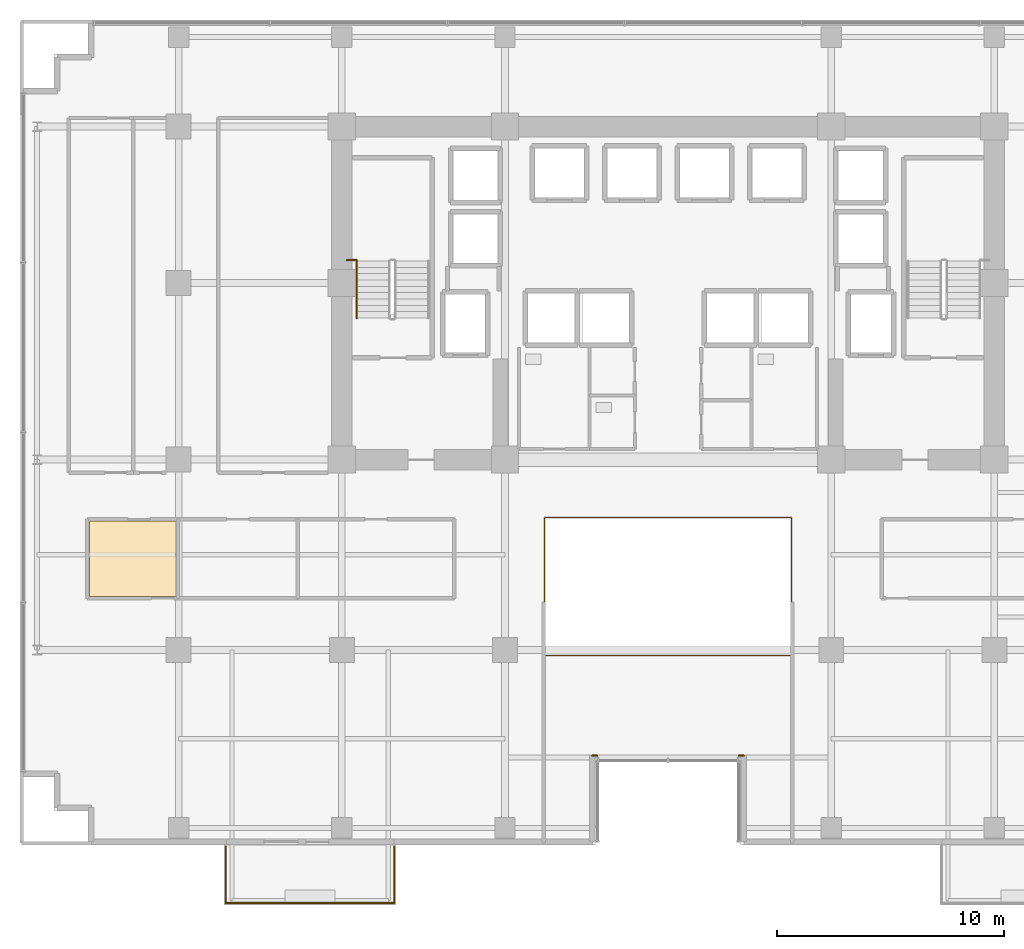
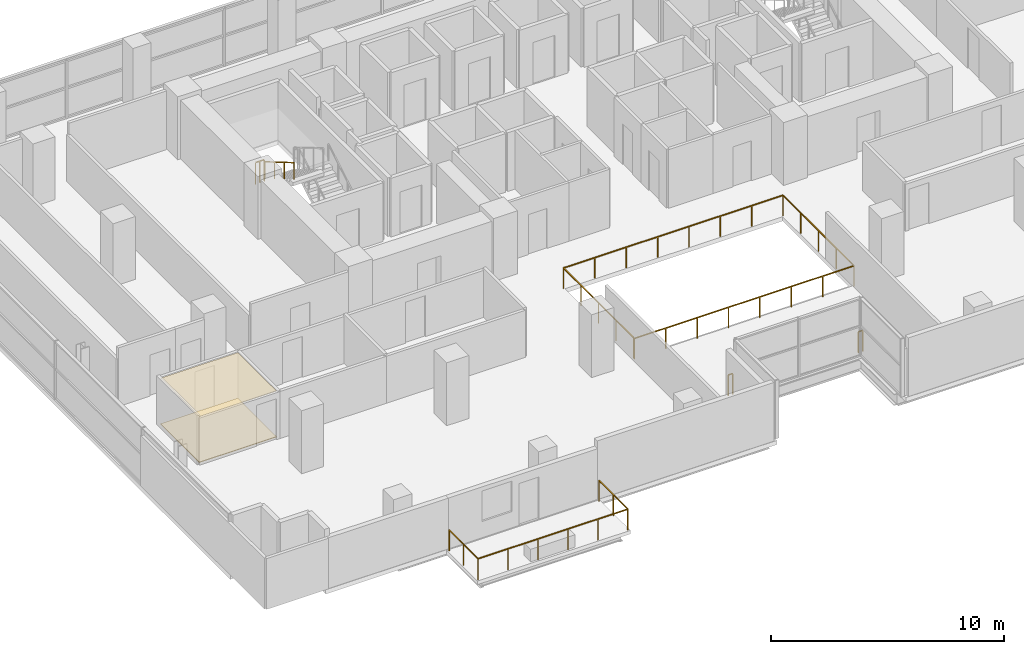
# One storey, part 23 of 26: 6 railings, 2 coverings.
"""IFC4 building model written with IfcOpenShell, lengths in metres."""

from ifc_helpers import new_model, si_unit, direction, frame, origin, origin_2d, place, context, subcontext, project, spatial, polyline, rectangle, outline, extrude, material, layer, layer_set, type_object, element, save


model = new_model("IFC4")

# Units and contexts
model_context = context("Model", 3, precision=1e-05, world=origin(), true_north=direction((0.0, 1.0)))
body_context = subcontext(model_context, "Body", "Model", "MODEL_VIEW")
ifc_project = project(units=[si_unit("LENGTHUNIT", "METRE"), si_unit("AREAUNIT", "SQUARE_METRE"), si_unit("VOLUMEUNIT", "CUBIC_METRE"), si_unit("PLANEANGLEUNIT", "RADIAN"), si_unit("MASSUNIT", "GRAM", prefix="KILO")], contexts=[model_context])

# Site, building, storey
site_placement = place(None, origin())
site = spatial("IfcSite", under=ifc_project, at=site_placement, CompositionType="ELEMENT")
building_placement = place(site_placement, origin())
building = spatial("IfcBuilding", under=site, at=building_placement, Name="Zarnakvel Exchange Tower", CompositionType="ELEMENT")
storey_placement = place(building_placement, frame((0.0, 0.0, 63.699951171875)))
storey = spatial("IfcBuildingStorey", under=building, at=storey_placement, Name="L17", CompositionType="ELEMENT", Elevation=63.699951171875)

# Coverings
ifc_material_1 = material(Name="Perforated Bronze Acoustic Metal Ceiling", Category="aluminium")
ifc_layer_1 = layer(ifc_material_1, 0.02001953125)
ifc_layer_set_1 = layer_set([ifc_layer_1], Name="Perforated Bronze Acoustic Metal Ceiling")
covering_type_1 = type_object("IfcCoveringType", Name="CLG-01", PredefinedType="CEILING", material=ifc_layer_set_1)
covering_1_placement = place(storey_placement, frame((0.0, 0.0, 2.405029296875)))
element("IfcCovering", 1, at=covering_1_placement, inside=storey, type_object=covering_type_1, Name="L17 Suspended Acoustic Ceiling (Asset Management Office)", PredefinedType="CEILING", context=body_context, shape_type="SweptSolid", body=[
    extrude(outline(polyline([(-25.54833984375, -3.909912109375), (-21.710205078125, -3.909912109375), (-21.710205078125, -7.239990234375), (-25.54833984375, -7.239990234375), (-25.54833984375, -3.909912109375)])), origin(), (0.0, 0.0, 1.0), 0.02001953125),
])
ifc_material_2 = material(Name="Heavy-Duty Raised Access Floor Panel", Category="steel")
ifc_layer_2 = layer(ifc_material_2, 0.034912109375)
ifc_layer_set_2 = layer_set([ifc_layer_2], Name="Heavy-Duty Raised Access Floor Panel")
covering_type_2 = type_object("IfcCoveringType", Name="FLR-02", PredefinedType="FLOORING", material=ifc_layer_set_2)
covering_2_placement = place(storey_placement, origin())
element("IfcCovering", 2, at=covering_2_placement, inside=storey, type_object=covering_type_2, Name="L17 Floor Finish (Asset Management Office)", PredefinedType="FLOORING", context=body_context, shape_type="SweptSolid", body=[
    extrude(outline(polyline([(-25.54833984375, -3.909912109375), (-21.710205078125, -3.909912109375), (-21.710205078125, -7.239990234375), (-25.54833984375, -7.239990234375), (-25.54833984375, -3.909912109375)])), origin(), (0.0, 0.0, 1.0), 0.03515625),
])

# Railings
ifc_material_3 = material(Name="Architectural Bronze Anodised Aluminium", Category="aluminium")
railing_type_1 = type_object("IfcRailingType", Name="GR-02", PredefinedType="GUARDRAIL", material=ifc_material_3)
railing_1_placement = place(storey_placement, frame((-19.52001953125, -18.280029296875, -0.034912109375)))
element("IfcRailing", 3, at=railing_1_placement, inside=storey, type_object=railing_type_1, Name="L17 Balcony Guardrail BAL-L17-SW", PredefinedType="GUARDRAIL", context=body_context, shape_type="SweptSolid", body=[
    extrude(rectangle(XDim=0.048095703125, YDim=0.048095703125, at=origin_2d()), frame((0.0, 0.0, 1.09619140625), z_axis=(0.0, -1.0, 0.0), x_axis=(1.0, 0.0, 0.0)), (0.0, 0.0, 1.0), 2.489990234375),
    extrude(rectangle(XDim=0.048095703125, YDim=0.048095703125, at=origin_2d()), frame((0.0, -2.489990234375, 1.09619140625), z_axis=(1.0, 0.0, 0.0), x_axis=(0.0, 1.0, 0.0)), (0.0, 0.0, 1.0), 7.43994140625),
    extrude(rectangle(XDim=0.048095703125, YDim=0.048095703125, at=origin_2d()), frame((7.43994140625, -2.489990234375, 1.09619140625), z_axis=(0.0, 1.0, 0.0), x_axis=(-1.0, 0.0, 0.0)), (0.0, 0.0, 1.0), 2.489990234375),
    extrude(rectangle(XDim=0.0419921875, YDim=0.0419921875, at=origin_2d()), origin(), (0.0, 0.0, 1.0), 1.072021484375),
    extrude(rectangle(XDim=0.0419921875, YDim=0.0419921875, at=origin_2d()), frame((0.0, -1.2451171875, 0.0)), (0.0, 0.0, 1.0), 1.072021484375),
    extrude(rectangle(XDim=0.0419921875, YDim=0.0419921875, at=origin_2d()), frame((0.0, -2.489990234375, 0.0)), (0.0, 0.0, 1.0), 1.072021484375),
    extrude(rectangle(XDim=0.0419921875, YDim=0.0419921875, at=origin_2d()), frame((1.488037109375, -2.489990234375, 0.0)), (0.0, 0.0, 1.0), 1.072021484375),
    extrude(rectangle(XDim=0.0419921875, YDim=0.0419921875, at=origin_2d()), frame((2.97607421875, -2.489990234375, 0.0)), (0.0, 0.0, 1.0), 1.072021484375),
    extrude(rectangle(XDim=0.0419921875, YDim=0.0419921875, at=origin_2d()), frame((4.4638671875, -2.489990234375, 0.0)), (0.0, 0.0, 1.0), 1.072021484375),
    extrude(rectangle(XDim=0.0419921875, YDim=0.0419921875, at=origin_2d()), frame((5.951904296875, -2.489990234375, 0.0)), (0.0, 0.0, 1.0), 1.072021484375),
    extrude(rectangle(XDim=0.0419921875, YDim=0.0419921875, at=origin_2d()), frame((7.43994140625, -2.489990234375, 0.0)), (0.0, 0.0, 1.0), 1.072021484375),
    extrude(rectangle(XDim=0.0419921875, YDim=0.0419921875, at=origin_2d()), frame((7.43994140625, -1.2451171875, 0.0)), (0.0, 0.0, 1.0), 1.072021484375),
    extrude(rectangle(XDim=0.0419921875, YDim=0.0419921875, at=origin_2d()), frame((7.43994140625, 0.0, 0.0)), (0.0, 0.0, 1.0), 1.072021484375),
])
for number, where, name in (
    (4, (3.340087890625, -14.260009765625, 0.0), "L17 Corner Spandrel Balustrade #18"),
    (5, (-3.1201171875, -14.260009765625, 0.0), "L17 Corner Spandrel Balustrade #19"),
):
    element("IfcRailing", number, at=place(storey_placement, frame(where)), inside=storey, type_object=railing_type_1, Name=name, PredefinedType="GUARDRAIL", context=body_context, shape_type="SweptSolid", body=[
        extrude(rectangle(XDim=0.048095703125, YDim=0.048095703125, at=origin_2d()), frame((0.0, 0.0, 1.09619140625), z_axis=(-1.0, 0.0, 0.0), x_axis=(0.0, -1.0, 0.0)), (0.0, 0.0, 1.0), 0.219970703125),
        extrude(rectangle(XDim=0.0419921875, YDim=0.0419921875, at=origin_2d()), origin(), (0.0, 0.0, 1.0), 1.072021484375),
        extrude(rectangle(XDim=0.0419921875, YDim=0.0419921875, at=origin_2d()), frame((-0.219970703125, 0.0, 0.0)), (0.0, 0.0, 1.0), 1.072021484375),
    ])
railing_type_2 = type_object("IfcRailingType", Name="GR-03", PredefinedType="GUARDRAIL", material=ifc_material_3)
railing_2_placement = place(storey_placement, frame((-5.449951171875, -9.85009765625, 0.0)))
element("IfcRailing", 6, at=railing_2_placement, inside=storey, type_object=railing_type_2, Name="L17 Atrium Void Perimeter Balustrade", PredefinedType="GUARDRAIL", context=body_context, shape_type="SweptSolid", body=[
    extrude(rectangle(XDim=0.048095703125, YDim=0.048095703125, at=origin_2d()), frame((0.0, 0.0, 1.076171875), z_axis=(1.0, 0.0, 0.0), x_axis=(0.0, 1.0, 0.0)), (0.0, 0.0, 1.0), 10.89990234375),
    extrude(rectangle(XDim=0.048095703125, YDim=0.048095703125, at=origin_2d()), frame((10.89990234375, 0.0, 1.076171875), z_axis=(0.0, 1.0, 0.0), x_axis=(-1.0, 0.0, 0.0)), (0.0, 0.0, 1.0), 6.10009765625),
    extrude(rectangle(XDim=0.048095703125, YDim=0.048095703125, at=origin_2d()), frame((10.89990234375, 6.10009765625, 1.076171875), z_axis=(-1.0, 0.0, 0.0), x_axis=(0.0, -1.0, 0.0)), (0.0, 0.0, 1.0), 10.89990234375),
    extrude(rectangle(XDim=0.048095703125, YDim=0.048095703125, at=origin_2d()), frame((0.0, 6.10009765625, 1.076171875), z_axis=(0.0, -1.0, 0.0), x_axis=(1.0, 0.0, 0.0)), (0.0, 0.0, 1.0), 6.02001953125),
    extrude(rectangle(XDim=0.0419921875, YDim=0.0419921875, at=origin_2d()), origin(), (0.0, 0.0, 1.0), 1.052001953125),
    extrude(rectangle(XDim=0.0419921875, YDim=0.0419921875, at=origin_2d()), frame((1.55712890625, 0.0, 0.0)), (0.0, 0.0, 1.0), 1.052001953125),
    extrude(rectangle(XDim=0.0419921875, YDim=0.0419921875, at=origin_2d()), frame((3.1142578125, 0.0, 0.0)), (0.0, 0.0, 1.0), 1.052001953125),
    extrude(rectangle(XDim=0.0419921875, YDim=0.0419921875, at=origin_2d()), frame((4.67138671875, 0.0, 0.0)), (0.0, 0.0, 1.0), 1.052001953125),
    extrude(rectangle(XDim=0.0419921875, YDim=0.0419921875, at=origin_2d()), frame((6.228515625, 0.0, 0.0)), (0.0, 0.0, 1.0), 1.052001953125),
    extrude(rectangle(XDim=0.0419921875, YDim=0.0419921875, at=origin_2d()), frame((7.78564453125, 0.0, 0.0)), (0.0, 0.0, 1.0), 1.052001953125),
    extrude(rectangle(XDim=0.0419921875, YDim=0.0419921875, at=origin_2d()), frame((9.3427734375, 0.0, 0.0)), (0.0, 0.0, 1.0), 1.052001953125),
    extrude(rectangle(XDim=0.0419921875, YDim=0.0419921875, at=origin_2d()), frame((10.89990234375, 0.0, 0.0)), (0.0, 0.0, 1.0), 1.052001953125),
    extrude(rectangle(XDim=0.0419921875, YDim=0.0419921875, at=origin_2d()), frame((10.89990234375, 1.52490234375, 0.0)), (0.0, 0.0, 1.0), 1.052001953125),
    extrude(rectangle(XDim=0.0419921875, YDim=0.0419921875, at=origin_2d()), frame((10.89990234375, 3.050048828125, 0.0)), (0.0, 0.0, 1.0), 1.052001953125),
    extrude(rectangle(XDim=0.0419921875, YDim=0.0419921875, at=origin_2d()), frame((10.89990234375, 4.5751953125, 0.0)), (0.0, 0.0, 1.0), 1.052001953125),
    extrude(rectangle(XDim=0.0419921875, YDim=0.0419921875, at=origin_2d()), frame((10.89990234375, 6.10009765625, 0.0)), (0.0, 0.0, 1.0), 1.052001953125),
    extrude(rectangle(XDim=0.0419921875, YDim=0.0419921875, at=origin_2d()), frame((9.3427734375, 6.10009765625, 0.0)), (0.0, 0.0, 1.0), 1.052001953125),
    extrude(rectangle(XDim=0.0419921875, YDim=0.0419921875, at=origin_2d()), frame((7.78564453125, 6.10009765625, 0.0)), (0.0, 0.0, 1.0), 1.052001953125),
    extrude(rectangle(XDim=0.0419921875, YDim=0.0419921875, at=origin_2d()), frame((6.228515625, 6.10009765625, 0.0)), (0.0, 0.0, 1.0), 1.052001953125),
    extrude(rectangle(XDim=0.0419921875, YDim=0.0419921875, at=origin_2d()), frame((4.67138671875, 6.10009765625, 0.0)), (0.0, 0.0, 1.0), 1.052001953125),
    extrude(rectangle(XDim=0.0419921875, YDim=0.0419921875, at=origin_2d()), frame((3.1142578125, 6.10009765625, 0.0)), (0.0, 0.0, 1.0), 1.052001953125),
    extrude(rectangle(XDim=0.0419921875, YDim=0.0419921875, at=origin_2d()), frame((1.55712890625, 6.10009765625, 0.0)), (0.0, 0.0, 1.0), 1.052001953125),
    extrude(rectangle(XDim=0.0419921875, YDim=0.0419921875, at=origin_2d()), frame((0.0, 6.10009765625, 0.0)), (0.0, 0.0, 1.0), 1.052001953125),
    extrude(rectangle(XDim=0.0419921875, YDim=0.0419921875, at=origin_2d()), frame((0.0, 4.59521484375, 0.0)), (0.0, 0.0, 1.0), 1.052001953125),
    extrude(rectangle(XDim=0.0419921875, YDim=0.0419921875, at=origin_2d()), frame((0.0, 3.090087890625, 0.0)), (0.0, 0.0, 1.0), 1.052001953125),
    extrude(rectangle(XDim=0.0419921875, YDim=0.0419921875, at=origin_2d()), frame((0.0, 1.5849609375, 0.0)), (0.0, 0.0, 1.0), 1.052001953125),
    extrude(rectangle(XDim=0.0419921875, YDim=0.0419921875, at=origin_2d()), frame((0.0, 0.080078125, 0.0)), (0.0, 0.0, 1.0), 1.052001953125),
])
ifc_material_4 = material(Name="Brushed Stainless Steel", Category="steel")
railing_type_3 = type_object("IfcRailingType", Name="HR-01", PredefinedType="HANDRAIL", material=ifc_material_4)
railing_3_placement = place(storey_placement, frame((-13.75, 7.570068359375, 1.81494140625)))
element("IfcRailing", 7, at=railing_3_placement, inside=storey, type_object=railing_type_3, Name="L17 ST-01 stair handrail 2", PredefinedType="HANDRAIL", context=body_context, shape_type="SweptSolid", body=[
    extrude(rectangle(XDim=0.048095703125, YDim=0.048095703125, at=origin_2d()), frame((0.0, 0.0, 0.8759765625), z_axis=(0.0, -0.86152411907, 0.507716645641), x_axis=(1.0, 0.0, 0.0)), (0.0, 0.0, 1.0), 2.925048828125),
    extrude(rectangle(XDim=0.0419921875, YDim=0.0419921875, at=origin_2d()), origin(), (0.0, 0.0, 1.0), 0.851806640625),
    extrude(rectangle(XDim=0.0419921875, YDim=0.0419921875, at=origin_2d()), frame((0.0, -0.840087890625, 0.4951171875)), (0.0, 0.0, 1.0), 0.851806640625),
    extrude(rectangle(XDim=0.0419921875, YDim=0.0419921875, at=origin_2d()), frame((0.0, -1.679931640625, 0.989990234375)), (0.0, 0.0, 1.0), 0.851806640625),
    extrude(rectangle(XDim=0.0419921875, YDim=0.0419921875, at=origin_2d()), frame((0.0, -2.52001953125, 1.485107421875)), (0.0, 0.0, 1.0), 0.851806640625),
])
railing_type_4 = type_object("IfcRailingType", Name="SG-01", PredefinedType="GUARDRAIL", material=ifc_material_3)
railing_4_placement = place(storey_placement, frame((-14.179931640625, 7.610107421875, 1.650146484375)))
element("IfcRailing", 8, at=railing_4_placement, inside=storey, type_object=railing_type_4, Name="L17 ST-01 Landing Slot Guardrail", PredefinedType="GUARDRAIL", context=body_context, shape_type="SweptSolid", body=[
    extrude(rectangle(XDim=0.048095703125, YDim=0.048095703125, at=origin_2d()), frame((0.0, 0.0, 1.1259765625), z_axis=(1.0, 0.0, 0.0), x_axis=(0.0, 1.0, 0.0)), (0.0, 0.0, 1.0), 0.429931640625),
    extrude(rectangle(XDim=0.0419921875, YDim=0.0419921875, at=origin_2d()), origin(), (0.0, 0.0, 1.0), 1.101806640625),
    extrude(rectangle(XDim=0.0419921875, YDim=0.0419921875, at=origin_2d()), frame((0.21484375, 0.0, 0.0)), (0.0, 0.0, 1.0), 1.101806640625),
    extrude(rectangle(XDim=0.0419921875, YDim=0.0419921875, at=origin_2d()), frame((0.429931640625, 0.0, 0.0)), (0.0, 0.0, 1.0), 1.101806640625),
])

save(model, "model.ifc")
